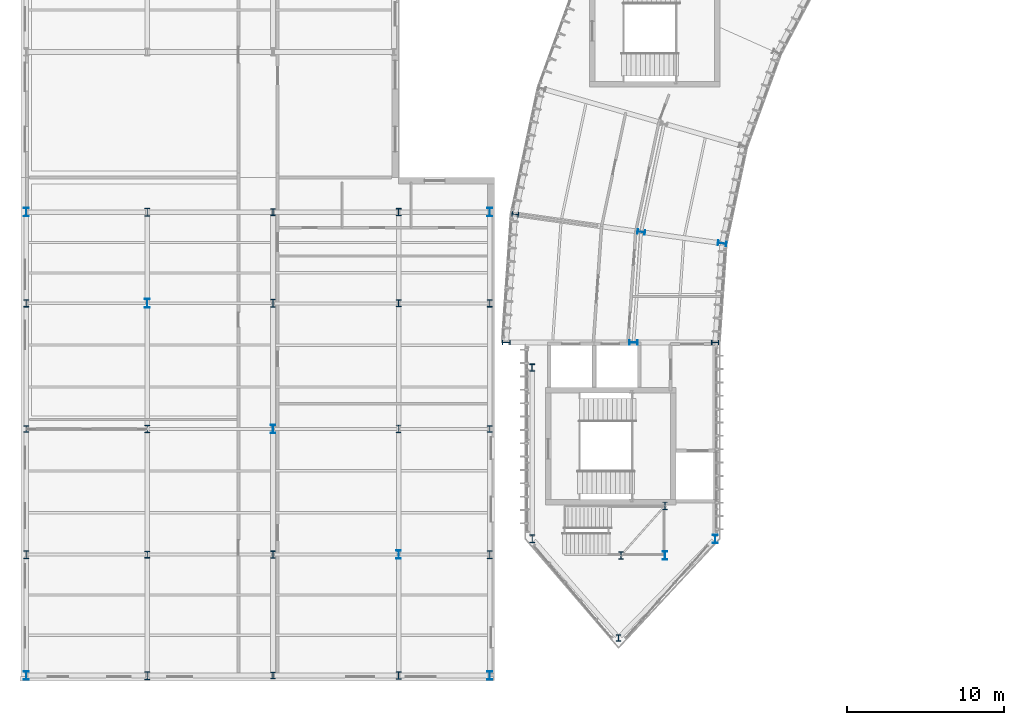
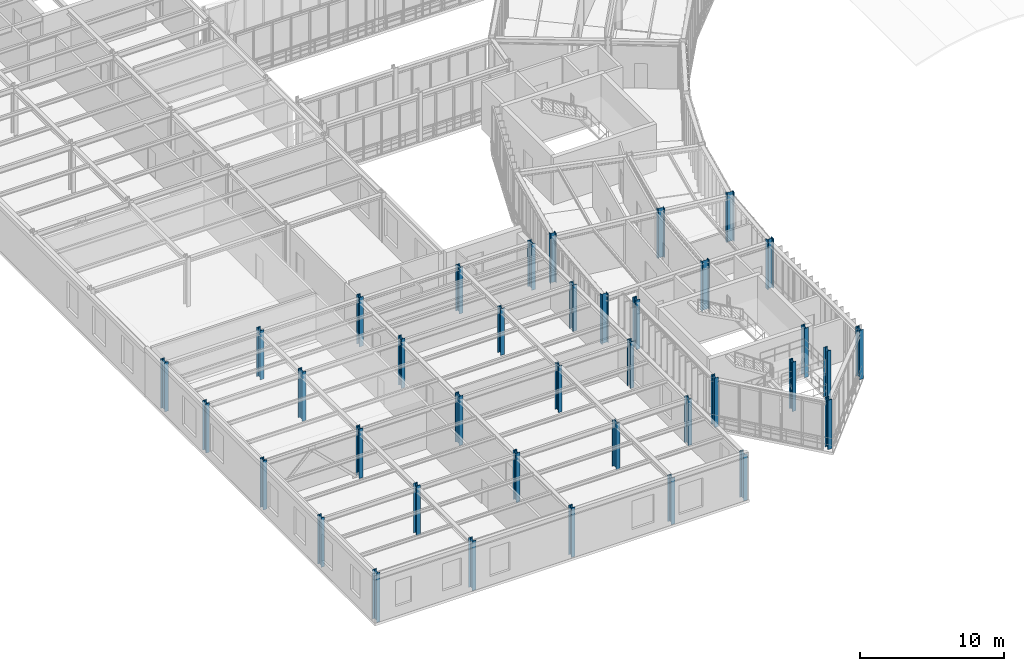
# One storey, part 1 of 57: 38 columns.
"""IFC4 building model written with IfcOpenShell, lengths in metres."""

from ifc_helpers import new_model, si_unit, direction, frame, origin, origin_2d, place, context, subcontext, project, spatial, i_section, extrude, material, material_profile, profile_set, type_object, element, save


model = new_model("IFC4")

# Units and contexts
model_context = context("Model", 3, precision=1e-05, world=origin(), true_north=direction((0.0, 1.0)))
body_context = subcontext(model_context, "Body", "Model", "MODEL_VIEW")
ifc_project = project(units=[si_unit("LENGTHUNIT", "METRE"), si_unit("AREAUNIT", "SQUARE_METRE"), si_unit("VOLUMEUNIT", "CUBIC_METRE"), si_unit("PLANEANGLEUNIT", "RADIAN"), si_unit("MASSUNIT", "GRAM", prefix="KILO"), si_unit("THERMODYNAMICTEMPERATUREUNIT", "KELVIN"), si_unit("POWERUNIT", "WATT")], contexts=[model_context])

# Site, building, storey
site_placement = place(None, origin())
site = spatial("IfcSite", under=ifc_project, at=site_placement, CompositionType="ELEMENT")
building_placement = place(site_placement, origin())
building = spatial("IfcBuilding", under=site, at=building_placement, Name="Solvatero Civic Police Headquarters", CompositionType="ELEMENT")
storey_placement = place(building_placement, frame((0.0, 0.0, 9.300048828125)))
storey = spatial("IfcBuildingStorey", under=building, at=storey_placement, Name="L02", CompositionType="ELEMENT", Elevation=9.300048828125)

# Columns
ifc_material = material(Name="Steel S355", Category="steel")
ifc_material_profile_1 = material_profile(ifc_material, i_section(OverallWidth=0.300048828125, OverallDepth=0.5, WebThickness=0.014404296875, FlangeThickness=0.028076171875, FilletRadius=0.027099609375, at=origin_2d()), Name="HEB 500")
ifc_profile_set_1 = profile_set([ifc_material_profile_1], Name="Steel S355")
column_type_1 = type_object("IfcColumnType", Name="COL-ST-HEB500", PredefinedType="COLUMN", material=ifc_profile_set_1)
for number, where, z_axis, x_axis, name in (
    (1, (43.94189453125, 33.03515625, 0.0), (0.0, 0.0, 1.0), (0.13917310096, 0.990268068742, 0.0), "Column ARC-S11-MID L02"),
    (2, (35.35009765625, 26.0, 0.0), (0.0, 0.0, 1.0), (0.0, 1.0, 0.0), "Column ARC-S12-OUT L02"),
    (3, (37.0, 13.5, 0.0), (0.0, 0.0, 1.0), (1.0, 0.0, 0.0), "Column PROW-SW L02"),
    (4, (45.449951171875, 15.60009765625, 0.0), (0.0, 0.0, 1.0), (1.0, 0.0, 0.0), "Column PRWS3 L02"),
    (5, (4.800048828125, 12.5, 0.0), (0.0, 0.0, 1.0), (1.0, 0.0, 0.0), "Column V4-X1Y2 L02"),
    (6, (12.5, 4.800048828125, 0.0), (0.0, 0.0, 1.0), (1.0, 0.0, 0.0), "Column V4-X2Y1 L02"),
    (7, (12.5, 34.300048828125, 0.0), (0.0, 0.0, 1.0), (1.0, 0.0, 0.0), "Column V4-X2Y5 L02"),
    (8, (20.5, 28.5, 0.0), (0.0, 0.0, 1.0), (1.0, 0.0, 0.0), "Column V4-X3Y4 L02"),
):
    element("IfcColumn", number, at=place(storey_placement, frame(where, z_axis=z_axis, x_axis=x_axis)), inside=storey, type_object=column_type_1, Name=name, PredefinedType="COLUMN", context=body_context, shape_type="SweptSolid", body=[
        extrude(i_section(OverallWidth=0.300048828125, OverallDepth=0.5, WebThickness=0.014404296875, FlangeThickness=0.028076171875, FilletRadius=0.027099609375, at=origin_2d()), origin(), (0.0, 0.0, 1.0), 4.199951171875),
    ])
for number, where, z_axis, x_axis, name in (
    (9, (28.5, 20.5, 0.0), (0.0, 0.0, 1.0), (1.0, 0.0, 0.0), "Column V4-X4Y3 L02"),
    (10, (34.300048828125, 12.5, 0.0), (0.0, 0.0, 1.0), (1.0, 0.0, 0.0), "Column V4-X5Y2 L02"),
):
    element("IfcColumn", number, at=place(storey_placement, frame(where, z_axis=z_axis, x_axis=x_axis)), inside=storey, type_object=column_type_1, Name=name, PredefinedType="COLUMN", context=body_context, shape_type="SweptSolid", body=[
        extrude(i_section(OverallWidth=0.300048828125, OverallDepth=0.5, WebThickness=0.014404296875, FlangeThickness=0.028076171875, FilletRadius=0.027099609375, at=origin_2d()), origin(), (0.0, 0.0, 1.0), 3.93994140625),
    ])
ifc_material_profile_2 = material_profile(ifc_material, i_section(OverallWidth=0.300048828125, OverallDepth=0.550048828125, WebThickness=0.014892578125, FlangeThickness=0.029052734375, FilletRadius=0.027099609375, at=origin_2d()), Name="HEB 550")
ifc_profile_set_2 = profile_set([ifc_material_profile_2], Name="Steel S355")
column_type_2 = type_object("IfcColumnType", Name="COL-ST-HEB550", PredefinedType="COLUMN", material=ifc_profile_set_2)
for number, where, z_axis, x_axis, name in (
    (11, (49.09130859375, 32.3115234375, 0.0), (0.0, 0.0, 1.0), (0.13917310096, 0.990268068742, 0.0), "Column ARC-S11-IN L02"),
    (12, (43.449951171875, 26.0, 0.0), (0.0, 0.0, 1.0), (0.0, 1.0, 0.0), "Column ARC-S12-MID L02"),
    (13, (48.64990234375, 13.5, 0.0), (0.0, 0.0, 1.0), (1.0, 0.0, 0.0), "Column PROW-SE L02"),
    (14, (45.449951171875, 12.449951171875, 0.0), (0.0, 0.0, 1.0), (1.0, 0.0, 0.0), "Column PRWS2 L02"),
    (15, (4.800048828125, 4.800048828125, 0.0), (0.0, 0.0, 1.0), (1.0, 0.0, 0.0), "Column V4-X1Y1 L02"),
    (16, (4.800048828125, 34.300048828125, 0.0), (0.0, 0.0, 1.0), (1.0, 0.0, 0.0), "Column V4-X1Y5 L02"),
    (17, (12.5, 28.5, 0.0), (0.0, 0.0, 1.0), (1.0, 0.0, 0.0), "Column V4-X2Y4 L02"),
    (18, (20.5, 20.5, 0.0), (0.0, 0.0, 1.0), (1.0, 0.0, 0.0), "Column V4-X3Y3 L02"),
):
    element("IfcColumn", number, at=place(storey_placement, frame(where, z_axis=z_axis, x_axis=x_axis)), inside=storey, type_object=column_type_2, Name=name, PredefinedType="COLUMN", context=body_context, shape_type="SweptSolid", body=[
        extrude(i_section(OverallWidth=0.300048828125, OverallDepth=0.550048828125, WebThickness=0.014892578125, FlangeThickness=0.029052734375, FilletRadius=0.027099609375, at=origin_2d()), origin(), (0.0, 0.0, 1.0), 4.199951171875),
    ])
for number, where, z_axis, x_axis, name in (
    (19, (28.5, 12.5, 0.0), (0.0, 0.0, 1.0), (1.0, 0.0, 0.0), "Column V4-X4Y2 L02"),
    (20, (34.300048828125, 4.800048828125, 0.0), (0.0, 0.0, 1.0), (1.0, 0.0, 0.0), "Column V4-X5Y1 L02"),
    (21, (34.300048828125, 34.300048828125, 0.0), (0.0, 0.0, 1.0), (1.0, 0.0, 0.0), "Column V4-X5Y5 L02"),
):
    element("IfcColumn", number, at=place(storey_placement, frame(where, z_axis=z_axis, x_axis=x_axis)), inside=storey, type_object=column_type_2, Name=name, PredefinedType="COLUMN", context=body_context, shape_type="SweptSolid", body=[
        extrude(i_section(OverallWidth=0.300048828125, OverallDepth=0.550048828125, WebThickness=0.014892578125, FlangeThickness=0.029052734375, FilletRadius=0.027099609375, at=origin_2d()), origin(), (0.0, 0.0, 1.0), 3.93994140625),
    ])
ifc_material_profile_3 = material_profile(ifc_material, i_section(OverallWidth=0.306884765625, OverallDepth=0.431884765625, WebThickness=0.02099609375, FlangeThickness=0.0400390625, FilletRadius=0.027099609375, at=origin_2d()), Name="HEM 400")
ifc_profile_set_3 = profile_set([ifc_material_profile_3], Name="Steel S355")
column_type_3 = type_object("IfcColumnType", Name="COL-ST-HEM400", PredefinedType="COLUMN", material=ifc_profile_set_3)
for number, where, z_axis, x_axis, name in (
    (22, (35.9208984375, 34.16259765625, 0.0), (0.0, 0.0, 1.0), (0.13917310096, 0.990268068742, 0.0), "Column ARC-S11-OUT L02"),
    (23, (42.5, 7.199951171875, 0.0), (0.0, 0.0, 1.0), (1.0, 0.0, 0.0), "Column PROW-TIP L02"),
    (24, (4.800048828125, 20.5, 0.0), (0.0, 0.0, 1.0), (1.0, 0.0, 0.0), "Column V4-X1Y3 L02"),
    (25, (12.5, 12.5, 0.0), (0.0, 0.0, 1.0), (1.0, 0.0, 0.0), "Column V4-X2Y2 L02"),
    (26, (20.5, 4.800048828125, 0.0), (0.0, 0.0, 1.0), (1.0, 0.0, 0.0), "Column V4-X3Y1 L02"),
    (27, (20.5, 34.300048828125, 0.0), (0.0, 0.0, 1.0), (1.0, 0.0, 0.0), "Column V4-X3Y5 L02"),
):
    element("IfcColumn", number, at=place(storey_placement, frame(where, z_axis=z_axis, x_axis=x_axis)), inside=storey, type_object=column_type_3, Name=name, PredefinedType="COLUMN", context=body_context, shape_type="SweptSolid", body=[
        extrude(i_section(OverallWidth=0.306884765625, OverallDepth=0.431884765625, WebThickness=0.02099609375, FlangeThickness=0.0400390625, FilletRadius=0.027099609375, at=origin_2d()), origin(), (0.0, 0.0, 1.0), 4.199951171875),
    ])
for number, where, z_axis, x_axis, name in (
    (28, (28.5, 28.5, 0.0), (0.0, 0.0, 1.0), (1.0, 0.0, 0.0), "Column V4-X4Y4 L02"),
    (29, (34.300048828125, 20.5, 0.0), (0.0, 0.0, 1.0), (1.0, 0.0, 0.0), "Column V4-X5Y3 L02"),
):
    element("IfcColumn", number, at=place(storey_placement, frame(where, z_axis=z_axis, x_axis=x_axis)), inside=storey, type_object=column_type_3, Name=name, PredefinedType="COLUMN", context=body_context, shape_type="SweptSolid", body=[
        extrude(i_section(OverallWidth=0.306884765625, OverallDepth=0.431884765625, WebThickness=0.02099609375, FlangeThickness=0.0400390625, FilletRadius=0.027099609375, at=origin_2d()), origin(), (0.0, 0.0, 1.0), 3.93994140625),
    ])
ifc_material_profile_4 = material_profile(ifc_material, i_section(OverallWidth=0.306884765625, OverallDepth=0.47802734375, WebThickness=0.02099609375, FlangeThickness=0.0400390625, FilletRadius=0.027099609375, at=origin_2d()), Name="HEM 450")
ifc_profile_set_4 = profile_set([ifc_material_profile_4], Name="Steel S355")
column_type_4 = type_object("IfcColumnType", Name="COL-ST-HEM450", PredefinedType="COLUMN", material=ifc_profile_set_4)
for number, where, z_axis, x_axis, name in (
    (30, (48.64990234375, 26.0, 0.0), (0.0, 0.0, 1.0), (0.0, 1.0, 0.0), "Column ARC-S12-IN L02"),
    (31, (37.0, 24.39990234375, 0.0), (0.0, 0.0, 1.0), (1.0, 0.0, 0.0), "Column PROW-NW L02"),
    (32, (42.64990234375, 12.449951171875, 0.0), (0.0, 0.0, 1.0), (1.0, 0.0, 0.0), "Column PRWS1 L02"),
    (33, (4.800048828125, 28.5, 0.0), (0.0, 0.0, 1.0), (1.0, 0.0, 0.0), "Column V4-X1Y4 L02"),
    (34, (12.5, 20.5, 0.0), (0.0, 0.0, 1.0), (1.0, 0.0, 0.0), "Column V4-X2Y3 L02"),
    (35, (20.5, 12.5, 0.0), (0.0, 0.0, 1.0), (1.0, 0.0, 0.0), "Column V4-X3Y2 L02"),
):
    element("IfcColumn", number, at=place(storey_placement, frame(where, z_axis=z_axis, x_axis=x_axis)), inside=storey, type_object=column_type_4, Name=name, PredefinedType="COLUMN", context=body_context, shape_type="SweptSolid", body=[
        extrude(i_section(OverallWidth=0.306884765625, OverallDepth=0.47802734375, WebThickness=0.02099609375, FlangeThickness=0.0400390625, FilletRadius=0.027099609375, at=origin_2d()), origin(), (0.0, 0.0, 1.0), 4.199951171875),
    ])
for number, where, z_axis, x_axis, name in (
    (36, (28.5, 4.800048828125, 0.0), (0.0, 0.0, 1.0), (1.0, 0.0, 0.0), "Column V4-X4Y1 L02"),
    (37, (28.5, 34.300048828125, 0.0), (0.0, 0.0, 1.0), (1.0, 0.0, 0.0), "Column V4-X4Y5 L02"),
    (38, (34.300048828125, 28.5, 0.0), (0.0, 0.0, 1.0), (1.0, 0.0, 0.0), "Column V4-X5Y4 L02"),
):
    element("IfcColumn", number, at=place(storey_placement, frame(where, z_axis=z_axis, x_axis=x_axis)), inside=storey, type_object=column_type_4, Name=name, PredefinedType="COLUMN", context=body_context, shape_type="SweptSolid", body=[
        extrude(i_section(OverallWidth=0.306884765625, OverallDepth=0.47802734375, WebThickness=0.02099609375, FlangeThickness=0.0400390625, FilletRadius=0.027099609375, at=origin_2d()), origin(), (0.0, 0.0, 1.0), 3.93994140625),
    ])

save(model, "model.ifc")
